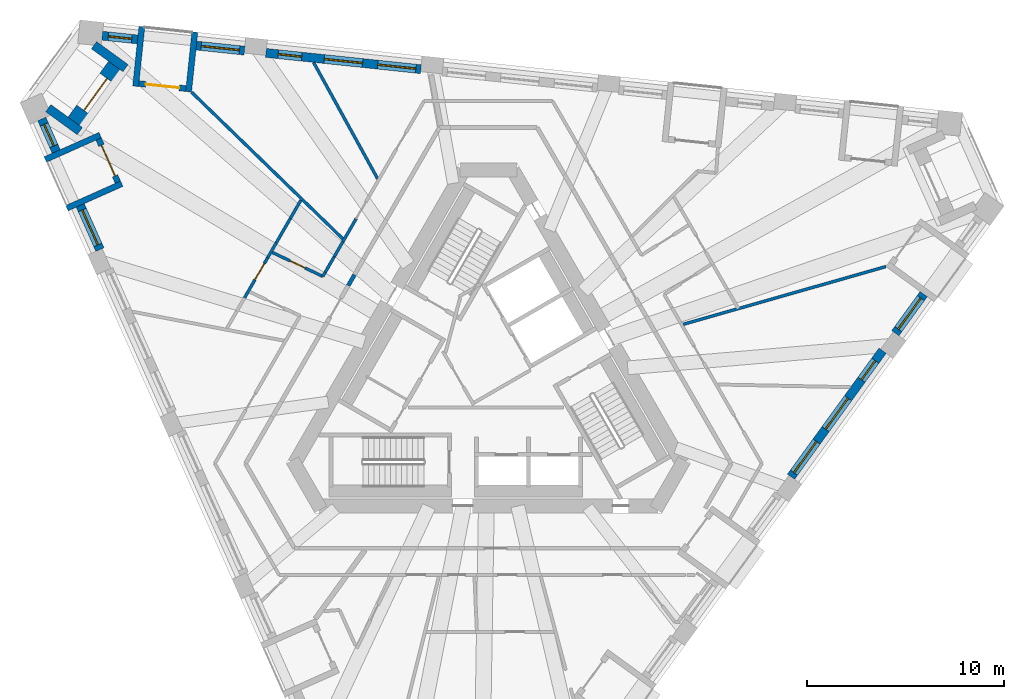
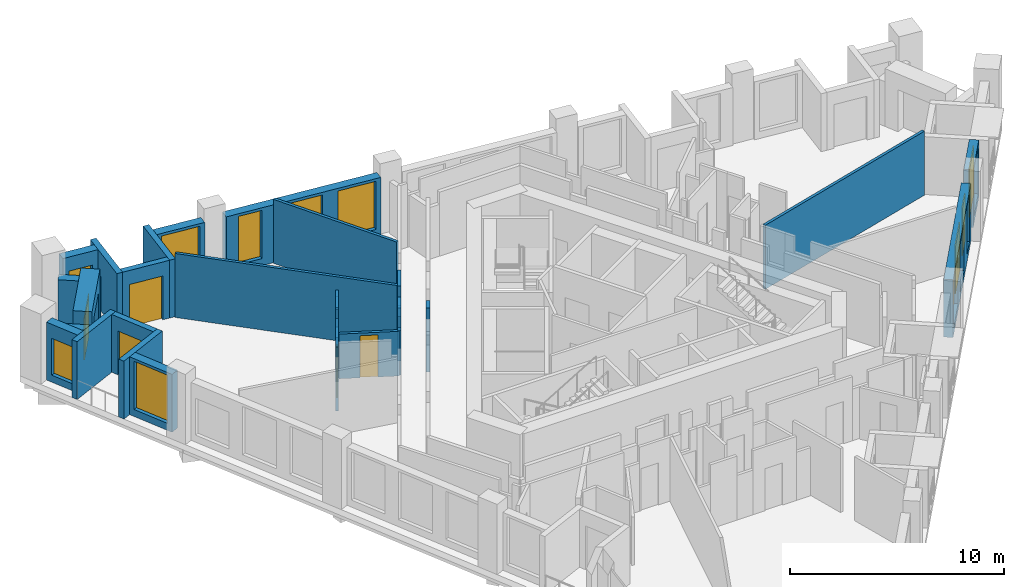
# One storey, part 6 of 11: 29 walls, 11 windows, 5 doors, 16 openings.
"""IFC4 building model written with IfcOpenShell, lengths in metres."""

from ifc_helpers import new_model, si_unit, direction, frame, frame_2d, origin, place, context, subcontext, project, spatial, rectangle, extrude, material, layer, layer_set, type_object, element, fill, save


model = new_model("IFC4")

# Units and contexts
model_context = context("Model", 3, precision=1e-05, world=origin(), true_north=direction((0.0, 1.0)))
body_context = subcontext(model_context, "Body", "Model", "MODEL_VIEW")
ifc_project = project(units=[si_unit("LENGTHUNIT", "METRE"), si_unit("AREAUNIT", "SQUARE_METRE"), si_unit("VOLUMEUNIT", "CUBIC_METRE"), si_unit("PLANEANGLEUNIT", "RADIAN"), si_unit("MASSUNIT", "GRAM", prefix="KILO")], contexts=[model_context])

# Site, building, storey
site_placement = place(None, origin())
site = spatial("IfcSite", under=ifc_project, at=site_placement, CompositionType="ELEMENT")
building_placement = place(site_placement, origin())
building = spatial("IfcBuilding", under=site, at=building_placement, Name="Tramontana Tower", CompositionType="ELEMENT")
storey_placement = place(building_placement, frame((0.0, 0.0, 249.199951171875)))
storey = spatial("IfcBuildingStorey", under=building, at=storey_placement, Name="L58", CompositionType="ELEMENT", Elevation=249.199951171875)

# Wall
ifc_material_1 = material(Name="Blockwork", Category="masonry")
ifc_layer_1 = layer(ifc_material_1, 0.199951171875)
ifc_layer_set_1 = layer_set([ifc_layer_1], Name="ENTRY WALL 200")
wall_type_1 = type_object("IfcWallType", Name="ENTRY WALL 200", PredefinedType="SOLIDWALL", material=ifc_layer_set_1)
wall_1_placement = place(storey_placement, frame((-7.11181640625, 4.78173828125, 0.0), z_axis=(0.0, 0.0, 1.0), x_axis=(0.499956208541, 0.866050685319, 0.0)))
element("IfcWall", 1, at=wall_1_placement, inside=storey, type_object=wall_type_1, Name="Wall v61-ew3-6", PredefinedType="SOLIDWALL", context=body_context, shape_type="SweptSolid", body=[
    extrude(rectangle(XDim=0.6328125, YDim=0.199951171875, at=frame_2d((0.31640625, 0.0))), origin(), (0.0, 0.0, 1.0), 3.650146484375),
])

# Wall, opening, window
ifc_material_2 = material(Name="Precast concrete 60 MPa", Category="concrete")
ifc_layer_2 = layer(ifc_material_2, 0.449951171875)
ifc_layer_set_2 = layer_set([ifc_layer_2], Name="Precast concrete 60 MPa, 450 mm")
wall_type_2 = type_object("IfcWallType", Name="EW1 Stone-faced precast wall 450", PredefinedType="SOLIDWALL", material=ifc_layer_set_2)
wall_2_placement = place(storey_placement, frame((-22.67041015625, 13.240478515625, 0.0), z_axis=(0.0, 0.0, 1.0), x_axis=(0.406779346191, -0.913526443795, 0.0)))
wall_2 = element("IfcWall", 2, at=wall_2_placement, inside=storey, type_object=wall_type_2, Name="External wall L58 face 0 bay 1", PredefinedType="SOLIDWALL", context=body_context, shape_type="SweptSolid", body=[
    extrude(rectangle(XDim=1.80224609375, YDim=0.449951171875, at=frame_2d((0.901123046875, 0.0))), origin(), (0.0, 0.0, 1.0), 3.300048828125),
])
opening_1_placement = place(wall_2_placement, frame((0.301025390625, 0.0, 0.39990234375)))
opening_1 = element("IfcOpeningElement", 3, at=opening_1_placement, cuts=wall_2, Name="Opening N3L", PredefinedType="OPENING", context=body_context, shape_type="SweptSolid", body=[
    extrude(rectangle(XDim=1.199951171875, YDim=2.10009765625, at=frame_2d((0.60009765625, 1.050048828125))), frame((0.0, 0.23486328125, 0.0), z_axis=(0.0, -1.0, 0.0), x_axis=(1.0, 0.0, 0.0)), (0.0, 0.0, 1.0), 0.469970703125),
])
ifc_material_3 = material(Name="Aluminum frame, double glazing unit", Category="aluminium")
window_type_1 = type_object("IfcWindowType", Name="N3L Window 1.2 x 2.1", PartitioningType="SINGLE_PANEL", PredefinedType="WINDOW", material=ifc_material_3)
window_1_placement = place(opening_1_placement, origin())
window_1 = element("IfcWindow", 4, at=window_1_placement, inside=storey, type_object=window_type_1, Name="Window N3L L58 face 0 module 1", OverallHeight=2.10009765625, OverallWidth=1.199951171875, PartitioningType="SINGLE_PANEL", PredefinedType="WINDOW", context=body_context, shape_type="SweptSolid", body=[
    extrude(rectangle(XDim=1.199951171875, YDim=2.10009765625, at=frame_2d((0.60009765625, 1.050048828125))), frame((0.0, 0.030029296875, 0.0), z_axis=(0.0, -1.0, 0.0), x_axis=(1.0, 0.0, 0.0)), (0.0, 0.0, 1.0), 0.06005859375),
])
fill(opening_1, window_1)

wall_3_placement = place(storey_placement, frame((-20.71630859375, 8.851318359375, 0.0), z_axis=(0.0, 0.0, 1.0), x_axis=(0.406821962592, -0.913507466172, 0.0)))
wall_3 = element("IfcWall", 5, at=wall_3_placement, inside=storey, type_object=wall_type_2, Name="External wall L58 face 0 bay 1", PredefinedType="SOLIDWALL", context=body_context, shape_type="SweptSolid", body=[
    extrude(rectangle(XDim=2.4521484375, YDim=0.449951171875, at=frame_2d((1.22607421875, 0.0))), origin(), (0.0, 0.0, 1.0), 3.300048828125),
])
opening_2_placement = place(wall_3_placement, frame((0.251220703125, 0.0, 0.39990234375)))
opening_2 = element("IfcOpeningElement", 6, at=opening_2_placement, cuts=wall_3, Name="Opening M3", PredefinedType="OPENING", context=body_context, shape_type="SweptSolid", body=[
    extrude(rectangle(XDim=1.949951171875, YDim=2.75, at=frame_2d((0.97509765625, 1.375))), frame((0.0, 0.23486328125, 0.0), z_axis=(0.0, -1.0, 0.0), x_axis=(1.0, 0.0, 0.0)), (0.0, 0.0, 1.0), 0.469970703125),
])
ifc_material_4 = material(Name="Aluminum frame, double glazing unit", Category="aluminium")
window_type_2 = type_object("IfcWindowType", Name="M3 Window 1.95 x 2.75", PartitioningType="SINGLE_PANEL", PredefinedType="WINDOW", material=ifc_material_4)
window_2_placement = place(opening_2_placement, origin())
window_2 = element("IfcWindow", 7, at=window_2_placement, inside=storey, type_object=window_type_2, Name="Window M3 L58 face 0 module 3", OverallHeight=2.75, OverallWidth=1.949951171875, PartitioningType="SINGLE_PANEL", PredefinedType="WINDOW", context=body_context, shape_type="SweptSolid", body=[
    extrude(rectangle(XDim=1.949951171875, YDim=2.75, at=frame_2d((0.97509765625, 1.375))), frame((0.0, 0.030029296875, 0.0), z_axis=(0.0, -1.0, 0.0), x_axis=(1.0, 0.0, 0.0)), (0.0, 0.0, 1.0), 0.06005859375),
])
fill(opening_2, window_2)

# Wall, openings, windows
wall_4_placement = place(storey_placement, frame((15.368408203125, -4.919677734375, 0.0), z_axis=(0.0, 0.0, 1.0), x_axis=(0.587782407267, 0.809019061399, 0.0)))
wall_4 = element("IfcWall", 8, at=wall_4_placement, inside=storey, type_object=wall_type_2, Name="External wall L58 face 1 bay 4", PredefinedType="SOLIDWALL", context=body_context, shape_type="SweptSolid", body=[
    extrude(rectangle(XDim=7.90673828125, YDim=0.449951171875, at=frame_2d((3.953369140625, 0.0))), origin(), (0.0, 0.0, 1.0), 3.300048828125),
])
opening_3_placement = place(wall_4_placement, frame((0.251220703125, 0.0, 0.39990234375)))
opening_3 = element("IfcOpeningElement", 9, at=opening_3_placement, cuts=wall_4, Name="Opening M3", PredefinedType="OPENING", context=body_context, shape_type="SweptSolid", body=[
    extrude(rectangle(XDim=1.949951171875, YDim=2.75, at=frame_2d((0.97509765625, 1.375))), frame((0.0, 0.23486328125, 0.0), z_axis=(0.0, -1.0, 0.0), x_axis=(1.0, 0.0, 0.0)), (0.0, 0.0, 1.0), 0.469970703125),
])
opening_4_placement = place(wall_4_placement, frame((2.978271484375, 0.0, 0.39990234375)))
opening_4 = element("IfcOpeningElement", 10, at=opening_4_placement, cuts=wall_4, Name="Opening M3", PredefinedType="OPENING", context=body_context, shape_type="SweptSolid", body=[
    extrude(rectangle(XDim=1.949951171875, YDim=2.75, at=frame_2d((0.97509765625, 1.375))), frame((0.0, 0.23486328125, 0.0), z_axis=(0.0, -1.0, 0.0), x_axis=(1.0, 0.0, 0.0)), (0.0, 0.0, 1.0), 0.469970703125),
])
opening_5_placement = place(wall_4_placement, frame((6.08056640625, 0.0, 0.39990234375)))
opening_5 = element("IfcOpeningElement", 11, at=opening_5_placement, cuts=wall_4, Name="Opening N3", PredefinedType="OPENING", context=body_context, shape_type="SweptSolid", body=[
    extrude(rectangle(XDim=1.199951171875, YDim=2.75, at=frame_2d((0.60009765625, 1.375))), frame((0.0, 0.23486328125, 0.0), z_axis=(0.0, -1.0, 0.0), x_axis=(1.0, 0.0, 0.0)), (0.0, 0.0, 1.0), 0.469970703125),
])
window_3_placement = place(opening_3_placement, origin())
window_3 = element("IfcWindow", 12, at=window_3_placement, inside=storey, type_object=window_type_2, Name="Window M3 L58 face 1 module 10", OverallHeight=2.75, OverallWidth=1.949951171875, PartitioningType="SINGLE_PANEL", PredefinedType="WINDOW", context=body_context, shape_type="SweptSolid", body=[
    extrude(rectangle(XDim=1.949951171875, YDim=2.75, at=frame_2d((0.97509765625, 1.375))), frame((0.0, 0.030029296875, 0.0), z_axis=(0.0, -1.0, 0.0), x_axis=(1.0, 0.0, 0.0)), (0.0, 0.0, 1.0), 0.06005859375),
])
fill(opening_3, window_3)
window_4_placement = place(opening_4_placement, origin())
window_4 = element("IfcWindow", 13, at=window_4_placement, inside=storey, type_object=window_type_2, Name="Window M3 L58 face 1 module 11", OverallHeight=2.75, OverallWidth=1.949951171875, PartitioningType="SINGLE_PANEL", PredefinedType="WINDOW", context=body_context, shape_type="SweptSolid", body=[
    extrude(rectangle(XDim=1.949951171875, YDim=2.75, at=frame_2d((0.97509765625, 1.375))), frame((0.0, 0.030029296875, 0.0), z_axis=(0.0, -1.0, 0.0), x_axis=(1.0, 0.0, 0.0)), (0.0, 0.0, 1.0), 0.06005859375),
])
fill(opening_4, window_4)
ifc_material_5 = material(Name="Aluminum frame, double glazing unit", Category="aluminium")
window_type_3 = type_object("IfcWindowType", Name="N3 Window 1.2 x 2.75", PartitioningType="SINGLE_PANEL", PredefinedType="WINDOW", material=ifc_material_5)
window_5_placement = place(opening_5_placement, origin())
window_5 = element("IfcWindow", 14, at=window_5_placement, inside=storey, type_object=window_type_3, Name="Window N3 L58 face 1 module 12", OverallHeight=2.75, OverallWidth=1.199951171875, PartitioningType="SINGLE_PANEL", PredefinedType="WINDOW", context=body_context, shape_type="SweptSolid", body=[
    extrude(rectangle(XDim=1.199951171875, YDim=2.75, at=frame_2d((0.60009765625, 1.375))), frame((0.0, 0.030029296875, 0.0), z_axis=(0.0, -1.0, 0.0), x_axis=(1.0, 0.0, 0.0)), (0.0, 0.0, 1.0), 0.06005859375),
])
fill(opening_5, window_5)

# Wall, opening, window
wall_5_placement = place(storey_placement, frame((20.662353515625, 2.366943359375, 0.0), z_axis=(0.0, 0.0, 1.0), x_axis=(0.587792773076, 0.809011530152, 0.0)))
wall_5 = element("IfcWall", 15, at=wall_5_placement, inside=storey, type_object=wall_type_2, Name="External wall L58 face 1 bay 5", PredefinedType="SOLIDWALL", context=body_context, shape_type="SweptSolid", body=[
    extrude(rectangle(XDim=2.4521484375, YDim=0.449951171875, at=frame_2d((1.22607421875, 0.0))), origin(), (0.0, 0.0, 1.0), 3.300048828125),
])
opening_6_placement = place(wall_5_placement, frame((0.251220703125, 0.0, 0.39990234375)))
opening_6 = element("IfcOpeningElement", 16, at=opening_6_placement, cuts=wall_5, Name="Opening M3", PredefinedType="OPENING", context=body_context, shape_type="SweptSolid", body=[
    extrude(rectangle(XDim=1.949951171875, YDim=2.75, at=frame_2d((0.97509765625, 1.375))), frame((0.0, 0.23486328125, 0.0), z_axis=(0.0, -1.0, 0.0), x_axis=(1.0, 0.0, 0.0)), (0.0, 0.0, 1.0), 0.469970703125),
])
window_6_placement = place(opening_6_placement, origin())
window_6 = element("IfcWindow", 17, at=window_6_placement, inside=storey, type_object=window_type_2, Name="Window M3 L58 face 1 module 13", OverallHeight=2.75, OverallWidth=1.949951171875, PartitioningType="SINGLE_PANEL", PredefinedType="WINDOW", context=body_context, shape_type="SweptSolid", body=[
    extrude(rectangle(XDim=1.949951171875, YDim=2.75, at=frame_2d((0.97509765625, 1.375))), frame((0.0, 0.030029296875, 0.0), z_axis=(0.0, -1.0, 0.0), x_axis=(1.0, 0.0, 0.0)), (0.0, 0.0, 1.0), 0.06005859375),
])
fill(opening_6, window_6)

# Wall, openings, windows
wall_6_placement = place(storey_placement, frame((-3.423828125, 15.769287109375, 0.0), z_axis=(0.0, 0.0, 1.0), x_axis=(-0.994522528385, 0.104522440343, 0.0)))
wall_6 = element("IfcWall", 18, at=wall_6_placement, inside=storey, type_object=wall_type_2, Name="External wall L58 face 2 bay 4", PredefinedType="SOLIDWALL", context=body_context, shape_type="SweptSolid", body=[
    extrude(rectangle(XDim=7.906494140625, YDim=0.449951171875, at=frame_2d((3.953125, 0.0))), origin(), (0.0, 0.0, 1.0), 3.300048828125),
])
opening_7_placement = place(wall_6_placement, frame((0.251220703125, 0.0, 0.39990234375)))
opening_7 = element("IfcOpeningElement", 19, at=opening_7_placement, cuts=wall_6, Name="Opening M3", PredefinedType="OPENING", context=body_context, shape_type="SweptSolid", body=[
    extrude(rectangle(XDim=1.949951171875, YDim=2.75, at=frame_2d((0.97509765625, 1.375))), frame((0.0, 0.23486328125, 0.0), z_axis=(0.0, -1.0, 0.0), x_axis=(1.0, 0.0, 0.0)), (0.0, 0.0, 1.0), 0.469970703125),
])
opening_8_placement = place(wall_6_placement, frame((2.978271484375, 0.0, 0.39990234375)))
opening_8 = element("IfcOpeningElement", 20, at=opening_8_placement, cuts=wall_6, Name="Opening M3", PredefinedType="OPENING", context=body_context, shape_type="SweptSolid", body=[
    extrude(rectangle(XDim=1.949951171875, YDim=2.75, at=frame_2d((0.97509765625, 1.375))), frame((0.0, 0.23486328125, 0.0), z_axis=(0.0, -1.0, 0.0), x_axis=(1.0, 0.0, 0.0)), (0.0, 0.0, 1.0), 0.469970703125),
])
opening_9_placement = place(wall_6_placement, frame((6.08056640625, 0.0, 0.39990234375)))
opening_9 = element("IfcOpeningElement", 21, at=opening_9_placement, cuts=wall_6, Name="Opening N3", PredefinedType="OPENING", context=body_context, shape_type="SweptSolid", body=[
    extrude(rectangle(XDim=1.199951171875, YDim=2.75, at=frame_2d((0.60009765625, 1.375))), frame((0.0, 0.23486328125, 0.0), z_axis=(0.0, -1.0, 0.0), x_axis=(1.0, 0.0, 0.0)), (0.0, 0.0, 1.0), 0.469970703125),
])
window_7_placement = place(opening_7_placement, origin())
window_7 = element("IfcWindow", 22, at=window_7_placement, inside=storey, type_object=window_type_2, Name="Window M3 L58 face 2 module 10", OverallHeight=2.75, OverallWidth=1.949951171875, PartitioningType="SINGLE_PANEL", PredefinedType="WINDOW", context=body_context, shape_type="SweptSolid", body=[
    extrude(rectangle(XDim=1.949951171875, YDim=2.75, at=frame_2d((0.97509765625, 1.375))), frame((0.0, 0.030029296875, 0.0), z_axis=(0.0, -1.0, 0.0), x_axis=(1.0, 0.0, 0.0)), (0.0, 0.0, 1.0), 0.06005859375),
])
fill(opening_7, window_7)
window_8_placement = place(opening_8_placement, origin())
window_8 = element("IfcWindow", 23, at=window_8_placement, inside=storey, type_object=window_type_2, Name="Window M3 L58 face 2 module 11", OverallHeight=2.75, OverallWidth=1.949951171875, PartitioningType="SINGLE_PANEL", PredefinedType="WINDOW", context=body_context, shape_type="SweptSolid", body=[
    extrude(rectangle(XDim=1.949951171875, YDim=2.75, at=frame_2d((0.97509765625, 1.375))), frame((0.0, 0.030029296875, 0.0), z_axis=(0.0, -1.0, 0.0), x_axis=(1.0, 0.0, 0.0)), (0.0, 0.0, 1.0), 0.06005859375),
])
fill(opening_8, window_8)
window_9_placement = place(opening_9_placement, origin())
window_9 = element("IfcWindow", 24, at=window_9_placement, inside=storey, type_object=window_type_3, Name="Window N3 L58 face 2 module 12", OverallHeight=2.75, OverallWidth=1.199951171875, PartitioningType="SINGLE_PANEL", PredefinedType="WINDOW", context=body_context, shape_type="SweptSolid", body=[
    extrude(rectangle(XDim=1.199951171875, YDim=2.75, at=frame_2d((0.60009765625, 1.375))), frame((0.0, 0.030029296875, 0.0), z_axis=(0.0, -1.0, 0.0), x_axis=(1.0, 0.0, 0.0)), (0.0, 0.0, 1.0), 0.06005859375),
])
fill(opening_9, window_9)

# Wall, opening, window
wall_7_placement = place(storey_placement, frame((-12.381103515625, 16.710693359375, 0.0), z_axis=(0.0, 0.0, 1.0), x_axis=(-0.994520717537, 0.104539668977, 0.0)))
wall_7 = element("IfcWall", 25, at=wall_7_placement, inside=storey, type_object=wall_type_2, Name="External wall L58 face 2 bay 5", PredefinedType="SOLIDWALL", context=body_context, shape_type="SweptSolid", body=[
    extrude(rectangle(XDim=2.4521484375, YDim=0.449951171875, at=frame_2d((1.22607421875, 0.0))), origin(), (0.0, 0.0, 1.0), 3.300048828125),
])
opening_10_placement = place(wall_7_placement, frame((0.251220703125, 0.0, 0.39990234375)))
opening_10 = element("IfcOpeningElement", 26, at=opening_10_placement, cuts=wall_7, Name="Opening M3", PredefinedType="OPENING", context=body_context, shape_type="SweptSolid", body=[
    extrude(rectangle(XDim=1.949951171875, YDim=2.75, at=frame_2d((0.97509765625, 1.375))), frame((0.0, 0.23486328125, 0.0), z_axis=(0.0, -1.0, 0.0), x_axis=(1.0, 0.0, 0.0)), (0.0, 0.0, 1.0), 0.469970703125),
])
window_10_placement = place(opening_10_placement, origin())
window_10 = element("IfcWindow", 27, at=window_10_placement, inside=storey, type_object=window_type_2, Name="Window M3 L58 face 2 module 13", OverallHeight=2.75, OverallWidth=1.949951171875, PartitioningType="SINGLE_PANEL", PredefinedType="WINDOW", context=body_context, shape_type="SweptSolid", body=[
    extrude(rectangle(XDim=1.949951171875, YDim=2.75, at=frame_2d((0.97509765625, 1.375))), frame((0.0, 0.030029296875, 0.0), z_axis=(0.0, -1.0, 0.0), x_axis=(1.0, 0.0, 0.0)), (0.0, 0.0, 1.0), 0.06005859375),
])
fill(opening_10, window_10)

wall_8_placement = place(storey_placement, frame((-17.8056640625, 17.28076171875, 0.0), z_axis=(0.0, 0.0, 1.0), x_axis=(-0.994515840559, 0.104586054885, 0.0)))
wall_8 = element("IfcWall", 28, at=wall_8_placement, inside=storey, type_object=wall_type_2, Name="External wall L58 face 2 bay 5", PredefinedType="SOLIDWALL", context=body_context, shape_type="SweptSolid", body=[
    extrude(rectangle(XDim=1.802001953125, YDim=0.449951171875, at=frame_2d((0.90087890625, 0.0))), origin(), (0.0, 0.0, 1.0), 3.300048828125),
])
opening_11_placement = place(wall_8_placement, frame((0.301025390625, 0.0, 0.39990234375)))
opening_11 = element("IfcOpeningElement", 29, at=opening_11_placement, cuts=wall_8, Name="Opening N3L", PredefinedType="OPENING", context=body_context, shape_type="SweptSolid", body=[
    extrude(rectangle(XDim=1.199951171875, YDim=2.10009765625, at=frame_2d((0.60009765625, 1.050048828125))), frame((0.0, 0.23486328125, 0.0), z_axis=(0.0, -1.0, 0.0), x_axis=(1.0, 0.0, 0.0)), (0.0, 0.0, 1.0), 0.469970703125),
])
window_11_placement = place(opening_11_placement, origin())
window_11 = element("IfcWindow", 30, at=window_11_placement, inside=storey, type_object=window_type_1, Name="Window N3L L58 face 2 module 15", OverallHeight=2.10009765625, OverallWidth=1.199951171875, PartitioningType="SINGLE_PANEL", PredefinedType="WINDOW", context=body_context, shape_type="SweptSolid", body=[
    extrude(rectangle(XDim=1.199951171875, YDim=2.10009765625, at=frame_2d((0.60009765625, 1.050048828125))), frame((0.0, 0.030029296875, 0.0), z_axis=(0.0, -1.0, 0.0), x_axis=(1.0, 0.0, 0.0)), (0.0, 0.0, 1.0), 0.06005859375),
])
fill(opening_11, window_11)

# Walls
for number, where, z_axis, x_axis, name in (
    (31, (-22.34033203125, 13.7900390625, 0.0), (0.0, 0.0, 1.0), (0.809040012586, -0.587753569138, 0.0), "Corner loggia side wall L58 K60l"),
    (32, (-20.0185546875, 16.985595703125, 0.0), (0.0, 0.0, 1.0), (0.809040012586, -0.587753569138, 0.0), "Corner loggia side wall L58 K60r"),
):
    element("IfcWall", number, at=place(storey_placement, frame(where, z_axis=z_axis, x_axis=x_axis)), inside=storey, type_object=wall_type_2, Name=name, PredefinedType="SOLIDWALL", context=body_context, shape_type="SweptSolid", body=[
        extrude(rectangle(XDim=1.979248046875, YDim=0.449951171875, at=frame_2d((0.98974609375, 0.0))), origin(), (0.0, 0.0, 1.0), 2.550048828125),
    ])

# Wall, opening, door
ifc_material_6 = material(Name="Precast concrete 60 MPa", Category="concrete")
ifc_layer_3 = layer(ifc_material_6, 0.89990234375)
ifc_layer_set_3 = layer_set([ifc_layer_3], Name="EW2 Stone-faced corner loggia wall 900")
wall_type_3 = type_object("IfcWallType", Name="EW2 Stone-faced corner loggia wall 900", PredefinedType="SOLIDWALL", material=ifc_layer_set_3)
wall_9_placement = place(storey_placement, frame((-20.970947265625, 13.0732421875, 0.0), z_axis=(0.0, 0.0, 1.0), x_axis=(0.587810807352, 0.808998426921, 0.0)))
wall_9 = element("IfcWall", 33, at=wall_9_placement, inside=storey, type_object=wall_type_3, Name="Corner loggia wall L58 K60", PredefinedType="SOLIDWALL", context=body_context, shape_type="SweptSolid", body=[
    extrude(rectangle(XDim=3.5, YDim=0.89990234375, at=frame_2d((1.75, 0.0))), origin(), (0.0, 0.0, 1.0), 3.300048828125),
])
opening_12_placement = place(wall_9_placement, frame((0.75, 0.0, 0.0)))
opening_12 = element("IfcOpeningElement", 34, at=opening_12_placement, cuts=wall_9, Name="Opening BD-60C", PredefinedType="OPENING", context=body_context, shape_type="SweptSolid", body=[
    extrude(rectangle(XDim=2.0, YDim=2.39990234375, at=frame_2d((1.0, 1.199951171875))), frame((0.0, 0.4599609375, 0.0), z_axis=(0.0, -1.0, 0.0), x_axis=(1.0, 0.0, 0.0)), (0.0, 0.0, 1.0), 0.919921875),
])
ifc_material_7 = material(Name="Aluminum frame, double glazing unit", Category="aluminium")
door_type_1 = type_object("IfcDoorType", Name="BC1 Sliding door 2 x 2.4", OperationType="SLIDING_TO_LEFT", PredefinedType="DOOR", material=ifc_material_7)
door_1_placement = place(opening_12_placement, origin())
door_1 = element("IfcDoor", 35, at=door_1_placement, inside=storey, type_object=door_type_1, Name="Corner loggia door L58 K60", OperationType="SLIDING_TO_LEFT", OverallHeight=2.39990234375, OverallWidth=2.0, PredefinedType="DOOR", context=body_context, shape_type="SweptSolid", body=[
    extrude(rectangle(XDim=2.0, YDim=2.39990234375, at=frame_2d((1.0, 1.199951171875))), frame((0.0, 0.02490234375, 0.0), z_axis=(0.0, -1.0, 0.0), x_axis=(1.0, 0.0, 0.0)), (0.0, 0.0, 1.0), 0.050048828125),
])
fill(opening_12, door_1)

ifc_material_8 = material(Name="Precast concrete 60 MPa", Category="concrete")
ifc_layer_4 = layer(ifc_material_8, 0.300048828125)
ifc_layer_set_4 = layer_set([ifc_layer_4], Name="LW1 Stone-faced loggia wall 300")
wall_type_4 = type_object("IfcWallType", Name="LW1 Stone-faced loggia wall 300", PredefinedType="SOLIDWALL", material=ifc_layer_set_4)
wall_10_placement = place(storey_placement, frame((-19.78271484375, 12.22509765625, 0.0), z_axis=(0.0, 0.0, 1.0), x_axis=(0.406723017018, -0.913551524232, 0.0)))
wall_10 = element("IfcWall", 36, at=wall_10_placement, inside=storey, type_object=wall_type_4, Name="Loggia wall L58 G6S0.1", PredefinedType="SOLIDWALL", context=body_context, shape_type="SweptSolid", body=[
    extrude(rectangle(XDim=2.40234375, YDim=0.300048828125, at=frame_2d((1.201171875, 0.0))), origin(), (0.0, 0.0, 1.0), 3.300048828125),
])
opening_13_placement = place(wall_10_placement, frame((0.35107421875, 0.0, 0.0)))
opening_13 = element("IfcOpeningElement", 37, at=opening_13_placement, cuts=wall_10, Name="Opening BD-6S0-01", PredefinedType="OPENING", context=body_context, shape_type="SweptSolid", body=[
    extrude(rectangle(XDim=1.699951171875, YDim=2.5, at=frame_2d((0.85009765625, 1.25))), frame((0.0, 0.159912109375, 0.0), z_axis=(0.0, -1.0, 0.0), x_axis=(1.0, 0.0, 0.0)), (0.0, 0.0, 1.0), 0.320068359375),
])
ifc_material_9 = material(Name="Aluminum frame, double glazing unit", Category="aluminium")
door_type_2 = type_object("IfcDoorType", Name="BD3 Sliding door 1.7 x 2.5", OperationType="SLIDING_TO_LEFT", PredefinedType="DOOR", material=ifc_material_9)
door_2_placement = place(opening_13_placement, origin())
door_2 = element("IfcDoor", 38, at=door_2_placement, inside=storey, type_object=door_type_2, Name="Loggia door L58 G6S0.1", OperationType="SLIDING_TO_LEFT", OverallHeight=2.5, OverallWidth=1.699951171875, PredefinedType="DOOR", context=body_context, shape_type="SweptSolid", body=[
    extrude(rectangle(XDim=1.699951171875, YDim=2.5, at=frame_2d((0.85009765625, 1.25))), frame((0.0, 0.02490234375, 0.0), z_axis=(0.0, -1.0, 0.0), x_axis=(1.0, 0.0, 0.0)), (0.0, 0.0, 1.0), 0.050048828125),
])
fill(opening_13, door_2)

# Walls
wall_11_placement = place(storey_placement, frame((-22.492919921875, 11.1826171875, 0.0), z_axis=(0.0, 0.0, 1.0), x_axis=(0.913557205168, 0.406710256677, 0.0)))
element("IfcWall", 39, at=wall_11_placement, inside=storey, type_object=wall_type_4, Name="Loggia return L58 G6S0.1a", PredefinedType="SOLIDWALL", context=body_context, shape_type="SweptSolid", body=[
    extrude(rectangle(XDim=3.050048828125, YDim=0.300048828125, at=frame_2d((1.52490234375, 0.0))), origin(), (0.0, 0.0, 1.0), 3.300048828125),
])
wall_12_placement = place(storey_placement, frame((-21.393798828125, 8.7138671875, 0.0), z_axis=(0.0, 0.0, 1.0), x_axis=(0.91354396316, 0.406739999721, 0.0)))
element("IfcWall", 40, at=wall_12_placement, inside=storey, type_object=wall_type_4, Name="Loggia return L58 G6S0.1b", PredefinedType="SOLIDWALL", context=body_context, shape_type="SweptSolid", body=[
    extrude(rectangle(XDim=3.0498046875, YDim=0.300048828125, at=frame_2d((1.52490234375, 0.0))), origin(), (0.0, 0.0, 1.0), 3.300048828125),
])

# Wall, opening, door
wall_13_placement = place(storey_placement, frame((-15.350830078125, 14.78564453125, 0.0), z_axis=(0.0, 0.0, 1.0), x_axis=(-0.994526595554, 0.104483734311, 0.0)))
wall_13 = element("IfcWall", 41, at=wall_13_placement, inside=storey, type_object=wall_type_4, Name="Loggia wall L58 G6S2.13", PredefinedType="SOLIDWALL", context=body_context, shape_type="SweptSolid", body=[
    extrude(rectangle(XDim=2.402099609375, YDim=0.300048828125, at=frame_2d((1.201171875, 0.0))), origin(), (0.0, 0.0, 1.0), 3.300048828125),
])
opening_14_placement = place(wall_13_placement, frame((0.35107421875, 0.0, 0.0)))
opening_14 = element("IfcOpeningElement", 42, at=opening_14_placement, cuts=wall_13, Name="Opening BD-6S2-13", PredefinedType="OPENING", context=body_context, shape_type="SweptSolid", body=[
    extrude(rectangle(XDim=1.699951171875, YDim=2.5, at=frame_2d((0.85009765625, 1.25))), frame((0.0, 0.159912109375, 0.0), z_axis=(0.0, -1.0, 0.0), x_axis=(1.0, 0.0, 0.0)), (0.0, 0.0, 1.0), 0.320068359375),
])
door_3_placement = place(opening_14_placement, origin())
door_3 = element("IfcDoor", 43, at=door_3_placement, inside=storey, type_object=door_type_2, Name="Loggia door L58 G6S2.13", OperationType="SLIDING_TO_LEFT", OverallHeight=2.5, OverallWidth=1.699951171875, PredefinedType="DOOR", context=body_context, shape_type="SweptSolid", body=[
    extrude(rectangle(XDim=1.699951171875, YDim=2.5, at=frame_2d((0.85009765625, 1.25))), frame((0.0, 0.02490234375, 0.0), z_axis=(0.0, -1.0, 0.0), x_axis=(1.0, 0.0, 0.0)), (0.0, 0.0, 1.0), 0.050048828125),
])
fill(opening_14, door_3)

# Walls
wall_14_placement = place(storey_placement, frame((-14.8984375, 17.654052734375, 0.0), z_axis=(0.0, 0.0, 1.0), x_axis=(-0.104543108891, -0.994520355942, 0.0)))
element("IfcWall", 44, at=wall_14_placement, inside=storey, type_object=wall_type_4, Name="Loggia return L58 G6S2.13a", PredefinedType="SOLIDWALL", context=body_context, shape_type="SweptSolid", body=[
    extrude(rectangle(XDim=3.0498046875, YDim=0.300048828125, at=frame_2d((1.52490234375, 0.0))), origin(), (0.0, 0.0, 1.0), 3.300048828125),
])
wall_15_placement = place(storey_placement, frame((-17.5859375, 17.9365234375, 0.0), z_axis=(0.0, 0.0, 1.0), x_axis=(-0.104534786906, -0.994521230707, 0.0)))
element("IfcWall", 45, at=wall_15_placement, inside=storey, type_object=wall_type_4, Name="Loggia return L58 G6S2.13b", PredefinedType="SOLIDWALL", context=body_context, shape_type="SweptSolid", body=[
    extrude(rectangle(XDim=3.050048828125, YDim=0.300048828125, at=frame_2d((1.52490234375, 0.0))), origin(), (0.0, 0.0, 1.0), 3.300048828125),
])
ifc_material_10 = material(Name="Gypsum board partition")
ifc_layer_5 = layer(ifc_material_10, 0.14990234375)
ifc_layer_set_5 = layer_set([ifc_layer_5], Name="PARTITION 150")
wall_type_5 = type_object("IfcWallType", Name="PARTITION 150", PredefinedType="PARTITIONING", material=ifc_layer_set_5)
wall_16_placement = place(storey_placement, frame((-15.068115234375, 14.60498046875, 0.0), z_axis=(0.0, 0.0, 1.0), x_axis=(0.718053113918, -0.695988308517, 0.0)))
element("IfcWall", 46, at=wall_16_placement, inside=storey, type_object=wall_type_5, Name="Wall v61-pw00", PredefinedType="PARTITIONING", context=body_context, shape_type="SweptSolid", body=[
    extrude(rectangle(XDim=10.699462890625, YDim=0.14990234375, at=frame_2d((5.349609375, 0.0))), origin(), (0.0, 0.0, 1.0), 3.650146484375),
])

# Wall, opening, door
wall_17_placement = place(storey_placement, frame((-12.376220703125, 4.16357421875, 0.0), z_axis=(0.0, 0.0, 1.0), x_axis=(0.499998569178, 0.866026229868, 0.0)))
wall_17 = element("IfcWall", 47, at=wall_17_placement, inside=storey, type_object=wall_type_5, Name="Wall v61-pw02-2", PredefinedType="PARTITIONING", context=body_context, shape_type="SweptSolid", body=[
    extrude(rectangle(XDim=2.34716796875, YDim=0.14990234375, at=frame_2d((1.173583984375, 0.0))), origin(), (0.0, 0.0, 1.0), 3.650146484375),
])
opening_15_placement = place(wall_17_placement, frame((1.06396484375, 0.0, 0.0)))
opening_15 = element("IfcOpeningElement", 48, at=opening_15_placement, cuts=wall_17, Name="Opening B6B-03", PredefinedType="OPENING", context=body_context, shape_type="SweptSolid", body=[
    extrude(rectangle(XDim=0.949951171875, YDim=2.39990234375, at=frame_2d((0.47509765625, 1.199951171875))), frame((0.0, 0.0849609375, 0.0), z_axis=(0.0, -1.0, 0.0), x_axis=(1.0, 0.0, 0.0)), (0.0, 0.0, 1.0), 0.169921875),
])
ifc_material_11 = material(Name="Painted timber", Category="wood")
door_type_3 = type_object("IfcDoorType", Name="DOOR ROOM 950", OperationType="SINGLE_SWING_LEFT", PredefinedType="DOOR", material=ifc_material_11)
door_4_placement = place(opening_15_placement, origin())
door_4 = element("IfcDoor", 49, at=door_4_placement, inside=storey, type_object=door_type_3, Name="Door B6B-03", OperationType="SINGLE_SWING_LEFT", OverallHeight=2.39990234375, OverallWidth=0.949951171875, PredefinedType="DOOR", context=body_context, shape_type="SweptSolid", body=[
    extrude(rectangle(XDim=0.949951171875, YDim=2.39990234375, at=frame_2d((0.47509765625, 1.199951171875))), frame((0.0, 0.02490234375, 0.0), z_axis=(0.0, -1.0, 0.0), x_axis=(1.0, 0.0, 0.0)), (0.0, 0.0, 1.0), 0.050048828125),
])
fill(opening_15, door_4)

# Walls
wall_18_placement = place(storey_placement, frame((-11.20263671875, 6.1962890625, 0.0), z_axis=(0.0, 0.0, 1.0), x_axis=(0.499980071345, 0.866036909293, 0.0)))
element("IfcWall", 50, at=wall_18_placement, inside=storey, type_object=wall_type_5, Name="Wall v61-pw02-3", PredefinedType="PARTITIONING", context=body_context, shape_type="SweptSolid", body=[
    extrude(rectangle(XDim=0.875, YDim=0.14990234375, at=frame_2d((0.4375, 0.0))), origin(), (0.0, 0.0, 1.0), 2.550048828125),
])
wall_19_placement = place(storey_placement, frame((-10.76513671875, 6.9541015625, 0.0), z_axis=(0.0, 0.0, 1.0), x_axis=(0.500029111807, 0.866008595423, 0.0)))
element("IfcWall", 51, at=wall_19_placement, inside=storey, type_object=wall_type_5, Name="Wall v61-pw02-4", PredefinedType="PARTITIONING", context=body_context, shape_type="SweptSolid", body=[
    extrude(rectangle(XDim=1.42431640625, YDim=0.14990234375, at=frame_2d((0.712158203125, 0.0))), origin(), (0.0, 0.0, 1.0), 3.650146484375),
])
wall_20_placement = place(storey_placement, frame((-10.052978515625, 8.1875, 0.0), z_axis=(0.0, 0.0, 1.0), x_axis=(0.499827299837, 0.866125089313, 0.0)))
element("IfcWall", 52, at=wall_20_placement, inside=storey, type_object=wall_type_5, Name="Wall v61-pw02-5", PredefinedType="PARTITIONING", context=body_context, shape_type="SweptSolid", body=[
    extrude(rectangle(XDim=1.0751953125, YDim=0.14990234375, at=frame_2d((0.53759765625, 0.0))), origin(), (0.0, 0.0, 1.0), 2.550048828125),
])

# Wall, opening, door
wall_21_placement = place(storey_placement, frame((-10.9619140625, 6.46337890625, 0.0), z_axis=(0.0, 0.0, 1.0), x_axis=(0.903783433079, -0.427990077096, 0.0)))
wall_21 = element("IfcWall", 53, at=wall_21_placement, inside=storey, type_object=wall_type_5, Name="Wall v61-pw04-0", PredefinedType="PARTITIONING", context=body_context, shape_type="SweptSolid", body=[
    extrude(rectangle(XDim=2.83447265625, YDim=0.14990234375, at=frame_2d((1.417236328125, 0.0))), origin(), (0.0, 0.0, 1.0), 2.550048828125),
])
opening_16_placement = place(wall_21_placement, frame((0.9921875, 0.0, 0.0)))
opening_16 = element("IfcOpeningElement", 54, at=opening_16_placement, cuts=wall_21, Name="Opening B6B-02", PredefinedType="OPENING", context=body_context, shape_type="SweptSolid", body=[
    extrude(rectangle(XDim=0.85009765625, YDim=2.39990234375, at=frame_2d((0.425048828125, 1.199951171875))), frame((0.0, 0.0849609375, 0.0), z_axis=(0.0, -1.0, 0.0), x_axis=(1.0, 0.0, 0.0)), (0.0, 0.0, 1.0), 0.169921875),
])
ifc_material_12 = material(Name="Painted timber", Category="wood")
door_type_4 = type_object("IfcDoorType", Name="DOOR BATH 850", OperationType="SINGLE_SWING_LEFT", PredefinedType="DOOR", material=ifc_material_12)
door_5_placement = place(opening_16_placement, origin())
door_5 = element("IfcDoor", 55, at=door_5_placement, inside=storey, type_object=door_type_4, Name="Door B6B-02", OperationType="SINGLE_SWING_RIGHT", OverallHeight=2.39990234375, OverallWidth=0.85009765625, PredefinedType="DOOR", context=body_context, shape_type="SweptSolid", body=[
    extrude(rectangle(XDim=0.85009765625, YDim=2.39990234375, at=frame_2d((0.425048828125, 1.199951171875))), frame((0.0, 0.02490234375, 0.0), z_axis=(0.0, -1.0, 0.0), x_axis=(1.0, 0.0, 0.0)), (0.0, 0.0, 1.0), 0.050048828125),
])
fill(opening_16, door_5)

# Walls
wall_22_placement = place(storey_placement, frame((-8.871826171875, 16.11572265625, 0.0), z_axis=(0.0, 0.0, 1.0), x_axis=(0.482252500192, -0.876032263138, 0.0)))
element("IfcWall", 56, at=wall_22_placement, inside=storey, type_object=wall_type_5, Name="Wall v61-pw08", PredefinedType="PARTITIONING", context=body_context, shape_type="SweptSolid", body=[
    extrude(rectangle(XDim=6.73876953125, YDim=0.14990234375, at=frame_2d((3.369384765625, 0.0))), origin(), (0.0, 0.0, 1.0), 3.650146484375),
])
wall_23_placement = place(storey_placement, frame((-8.400146484375, 5.250244140625, 0.0), z_axis=(0.0, 0.0, 1.0), x_axis=(0.499323735398, 0.866415493437, 0.0)))
element("IfcWall", 57, at=wall_23_placement, inside=storey, type_object=wall_type_5, Name="Wall v61-pw09-0", PredefinedType="PARTITIONING", context=body_context, shape_type="SweptSolid", body=[
    extrude(rectangle(XDim=0.247314453125, YDim=0.14990234375, at=frame_2d((0.12353515625, 0.0))), origin(), (0.0, 0.0, 1.0), 2.550048828125),
])
wall_24_placement = place(storey_placement, frame((-8.276611328125, 5.464599609375, 0.0), z_axis=(0.0, 0.0, 1.0), x_axis=(0.50004290449, 0.866000631449, 0.0)))
element("IfcWall", 58, at=wall_24_placement, inside=storey, type_object=wall_type_5, Name="Wall v61-pw09-1", PredefinedType="PARTITIONING", context=body_context, shape_type="SweptSolid", body=[
    extrude(rectangle(XDim=0.9013671875, YDim=0.14990234375, at=frame_2d((0.45068359375, 0.0))), origin(), (0.0, 0.0, 1.0), 3.650146484375),
])
wall_25_placement = place(storey_placement, frame((-7.825927734375, 6.2451171875, 0.0), z_axis=(0.0, 0.0, 1.0), x_axis=(0.499967368674, 0.86604424267, 0.0)))
element("IfcWall", 59, at=wall_25_placement, inside=storey, type_object=wall_type_5, Name="Wall v61-pw09-2", PredefinedType="PARTITIONING", context=body_context, shape_type="SweptSolid", body=[
    extrude(rectangle(XDim=0.8916015625, YDim=0.14990234375, at=frame_2d((0.44580078125, 0.0))), origin(), (0.0, 0.0, 1.0), 2.550048828125),
])
wall_26_placement = place(storey_placement, frame((-7.380126953125, 7.017333984375, 0.0), z_axis=(0.0, 0.0, 1.0), x_axis=(0.50009965996, 0.865967857434, 0.0)))
element("IfcWall", 60, at=wall_26_placement, inside=storey, type_object=wall_type_5, Name="Wall v61-pw09-3", PredefinedType="PARTITIONING", context=body_context, shape_type="SweptSolid", body=[
    extrude(rectangle(XDim=1.325927734375, YDim=0.14990234375, at=frame_2d((0.6630859375, 0.0))), origin(), (0.0, 0.0, 1.0), 3.650146484375),
])
wall_27_placement = place(storey_placement, frame((20.182373046875, 5.746826171875, 0.0), z_axis=(0.0, 0.0, 1.0), x_axis=(-0.961769821248, -0.27385910782, 0.0)))
element("IfcWall", 61, at=wall_27_placement, inside=storey, type_object=wall_type_5, Name="Wall v61-pw40", PredefinedType="PARTITIONING", context=body_context, shape_type="SweptSolid", body=[
    extrude(rectangle(XDim=10.699462890625, YDim=0.14990234375, at=frame_2d((5.349609375, 0.0))), origin(), (0.0, 0.0, 1.0), 3.650146484375),
])

save(model, "model.ifc")
